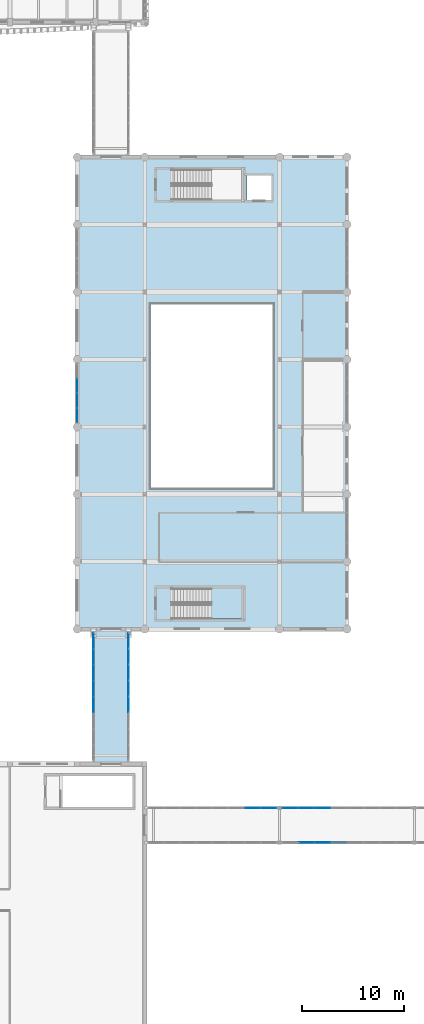
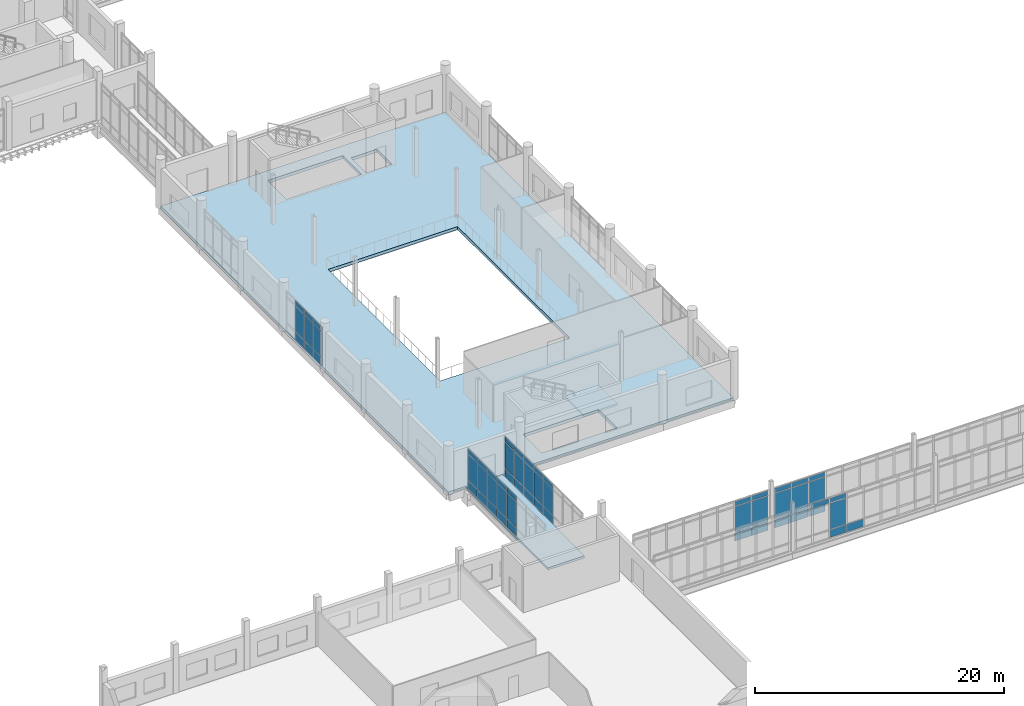
# One storey, part 47 of 101: 59 plates, 3 slabs, 7 elements without a shape of their own.
"""IFC4 building model written with IfcOpenShell, lengths in metres."""

from ifc_helpers import new_model, si_unit, direction, frame, origin, origin_2d, place, context, subcontext, project, spatial, polyline, rectangle, outline, extrude, material, layer, layer_set, type_object, element, aggregate, save


model = new_model("IFC4")

# Units and contexts
model_context = context("Model", 3, precision=1e-05, world=origin(), true_north=direction((0.0, 1.0)))
body_context = subcontext(model_context, "Body", "Model", "MODEL_VIEW")
ifc_project = project(units=[si_unit("LENGTHUNIT", "METRE"), si_unit("AREAUNIT", "SQUARE_METRE"), si_unit("VOLUMEUNIT", "CUBIC_METRE"), si_unit("PLANEANGLEUNIT", "RADIAN"), si_unit("MASSUNIT", "GRAM", prefix="KILO")], contexts=[model_context])

# Site, building, storey
site_placement = place(None, origin())
site = spatial("IfcSite", under=ifc_project, at=site_placement, CompositionType="ELEMENT")
building_placement = place(site_placement, origin())
building = spatial("IfcBuilding", under=site, at=building_placement, Name="Dornvale Research Institute", CompositionType="ELEMENT")
storey_placement = place(building_placement, frame((0.0, 0.0, 10.199951171875)))
storey = spatial("IfcBuildingStorey", under=building, at=storey_placement, Name="L02", CompositionType="ELEMENT", Elevation=10.199951171875)

# Curtain wall, plates
ifc_material_1 = material(Name="Low-E Argon Double Insulating Glazing Unit", Category="glass")
curtain_wall_type_1 = type_object("IfcCurtainWallType", Name="UnitisedCurtainWall_V2_5810x3950", PredefinedType="USERDEFINED", material=ifc_material_1)
curtain_wall_1_placement = place(storey_placement, origin())
curtain_wall_1 = element("IfcCurtainWall", 1, at=curtain_wall_1_placement, inside=storey, type_object=curtain_wall_type_1, Name="L02 V2 unitised curtain wall CW-02 #10", ObjectType="UNITISED CURTAIN WALL", PredefinedType="USERDEFINED")
ifc_material_2 = material(Name="Insulated Ceramic-Frit Spandrel Glass Panel", Category="glass")
ifc_layer_1 = layer(ifc_material_2, 0.0419921875)
ifc_layer_set_1 = layer_set([ifc_layer_1], Name="Insulated Ceramic-Frit Spandrel Glass Panel")
plate_type_1 = type_object("IfcPlateType", Name="CurtainPanel_Spandrel_42", PredefinedType="CURTAIN_PANEL", material=ifc_layer_set_1)
plate_1_placement = place(storey_placement, frame((39.60009765625, 60.53759765625, 0.065185546875), z_axis=(0.0, 0.0, 1.0), x_axis=(0.0, 1.0, 0.0)))
plate_1 = element("IfcPlate", 2, at=plate_1_placement, type_object=plate_type_1, Name="CW-02 panel 1.1", PredefinedType="CURTAIN_PANEL", context=body_context, shape_type="SweptSolid", body=[
    extrude(rectangle(XDim=1.35498046875, YDim=0.0419921875, at=origin_2d()), origin(), (0.0, 0.0, 1.0), 0.75244140625),
])
plate_2_placement = place(storey_placement, frame((39.60009765625, 61.9736328125, 0.065185546875), z_axis=(0.0, 0.0, 1.0), x_axis=(0.0, 1.0, 0.0)))
plate_2 = element("IfcPlate", 3, at=plate_2_placement, type_object=plate_type_1, Name="CW-02 panel 2.1", PredefinedType="CURTAIN_PANEL", context=body_context, shape_type="SweptSolid", body=[
    extrude(rectangle(XDim=1.387451171875, YDim=0.0419921875, at=origin_2d()), origin(), (0.0, 0.0, 1.0), 0.75244140625),
])
plate_3_placement = place(storey_placement, frame((39.60009765625, 63.42626953125, 0.065185546875), z_axis=(0.0, 0.0, 1.0), x_axis=(0.0, 1.0, 0.0)))
plate_3 = element("IfcPlate", 4, at=plate_3_placement, type_object=plate_type_1, Name="CW-02 panel 3.1", PredefinedType="CURTAIN_PANEL", context=body_context, shape_type="SweptSolid", body=[
    extrude(rectangle(XDim=1.387451171875, YDim=0.0419921875, at=origin_2d()), origin(), (0.0, 0.0, 1.0), 0.75244140625),
])

ifc_material_3 = material(Name="Low-E Argon Double Insulating Glazing Unit", Category="glass")
curtain_wall_type_2 = type_object("IfcCurtainWallType", Name="UnitisedCurtainWall_V2_12500x4000", PredefinedType="USERDEFINED", material=ifc_material_3)
curtain_wall_2_placement = place(storey_placement, origin())
curtain_wall_2 = element("IfcCurtainWall", 5, at=curtain_wall_2_placement, inside=storey, type_object=curtain_wall_type_2, Name="L02 V2 unitised curtain wall CW-39 #205", ObjectType="UNITISED CURTAIN WALL", PredefinedType="USERDEFINED")
plate_4_placement = place(storey_placement, frame((41.199951171875, 32.21875, 0.065185546875), z_axis=(0.0, 0.0, 1.0), x_axis=(0.0, 1.0, 0.0)))
plate_4 = element("IfcPlate", 6, at=plate_4_placement, type_object=plate_type_1, Name="CW-39 panel 4.1", PredefinedType="CURTAIN_PANEL", context=body_context, shape_type="SweptSolid", body=[
    extrude(rectangle(XDim=1.49755859375, YDim=0.0419921875, at=origin_2d()), origin(), (0.0, 0.0, 1.0), 0.75244140625),
])
plate_5_placement = place(storey_placement, frame((41.199951171875, 33.78125, 0.065185546875), z_axis=(0.0, 0.0, 1.0), x_axis=(0.0, 1.0, 0.0)))
plate_5 = element("IfcPlate", 7, at=plate_5_placement, type_object=plate_type_1, Name="CW-39 panel 5.1", PredefinedType="CURTAIN_PANEL", context=body_context, shape_type="SweptSolid", body=[
    extrude(rectangle(XDim=1.49755859375, YDim=0.0419921875, at=origin_2d()), origin(), (0.0, 0.0, 1.0), 0.75244140625),
])
plate_6_placement = place(storey_placement, frame((41.199951171875, 35.34375, 0.065185546875), z_axis=(0.0, 0.0, 1.0), x_axis=(0.0, 1.0, 0.0)))
plate_6 = element("IfcPlate", 8, at=plate_6_placement, type_object=plate_type_1, Name="CW-39 panel 6.1", PredefinedType="CURTAIN_PANEL", context=body_context, shape_type="SweptSolid", body=[
    extrude(rectangle(XDim=1.49755859375, YDim=0.0419921875, at=origin_2d()), origin(), (0.0, 0.0, 1.0), 0.75244140625),
])
plate_7_placement = place(storey_placement, frame((41.199951171875, 36.90625, 0.065185546875), z_axis=(0.0, 0.0, 1.0), x_axis=(0.0, 1.0, 0.0)))
plate_7 = element("IfcPlate", 9, at=plate_7_placement, type_object=plate_type_1, Name="CW-39 panel 7.1", PredefinedType="CURTAIN_PANEL", context=body_context, shape_type="SweptSolid", body=[
    extrude(rectangle(XDim=1.49755859375, YDim=0.0419921875, at=origin_2d()), origin(), (0.0, 0.0, 1.0), 0.75244140625),
])
plate_8_placement = place(storey_placement, frame((41.199951171875, 38.452392578125, 0.065185546875), z_axis=(0.0, 0.0, 1.0), x_axis=(0.0, 1.0, 0.0)))
plate_8 = element("IfcPlate", 10, at=plate_8_placement, type_object=plate_type_1, Name="CW-39 panel 8.1", PredefinedType="CURTAIN_PANEL", context=body_context, shape_type="SweptSolid", body=[
    extrude(rectangle(XDim=1.465087890625, YDim=0.0419921875, at=origin_2d()), origin(), (0.0, 0.0, 1.0), 0.75244140625),
])

curtain_wall_3_placement = place(storey_placement, origin())
curtain_wall_3 = element("IfcCurtainWall", 11, at=curtain_wall_3_placement, inside=storey, type_object=curtain_wall_type_2, Name="L02 V2 unitised curtain wall CW-39 #206", ObjectType="UNITISED CURTAIN WALL", PredefinedType="USERDEFINED")
plate_9_placement = place(storey_placement, frame((44.60009765625, 38.452392578125, 0.065185546875), z_axis=(0.0, 0.0, 1.0), x_axis=(0.0, -1.0, 0.0)))
plate_9 = element("IfcPlate", 12, at=plate_9_placement, type_object=plate_type_1, Name="CW-39 panel 1.1", PredefinedType="CURTAIN_PANEL", context=body_context, shape_type="SweptSolid", body=[
    extrude(rectangle(XDim=1.465087890625, YDim=0.0419921875, at=origin_2d()), origin(), (0.0, 0.0, 1.0), 0.75244140625),
])
plate_10_placement = place(storey_placement, frame((44.60009765625, 36.90625, 0.065185546875), z_axis=(0.0, 0.0, 1.0), x_axis=(0.0, -1.0, 0.0)))
plate_10 = element("IfcPlate", 13, at=plate_10_placement, type_object=plate_type_1, Name="CW-39 panel 2.1", PredefinedType="CURTAIN_PANEL", context=body_context, shape_type="SweptSolid", body=[
    extrude(rectangle(XDim=1.49755859375, YDim=0.0419921875, at=origin_2d()), origin(), (0.0, 0.0, 1.0), 0.75244140625),
])
plate_11_placement = place(storey_placement, frame((44.60009765625, 35.34375, 0.065185546875), z_axis=(0.0, 0.0, 1.0), x_axis=(0.0, -1.0, 0.0)))
plate_11 = element("IfcPlate", 14, at=plate_11_placement, type_object=plate_type_1, Name="CW-39 panel 3.1", PredefinedType="CURTAIN_PANEL", context=body_context, shape_type="SweptSolid", body=[
    extrude(rectangle(XDim=1.49755859375, YDim=0.0419921875, at=origin_2d()), origin(), (0.0, 0.0, 1.0), 0.75244140625),
])
plate_12_placement = place(storey_placement, frame((44.60009765625, 33.78125, 0.065185546875), z_axis=(0.0, 0.0, 1.0), x_axis=(0.0, -1.0, 0.0)))
plate_12 = element("IfcPlate", 15, at=plate_12_placement, type_object=plate_type_1, Name="CW-39 panel 4.1", PredefinedType="CURTAIN_PANEL", context=body_context, shape_type="SweptSolid", body=[
    extrude(rectangle(XDim=1.49755859375, YDim=0.0419921875, at=origin_2d()), origin(), (0.0, 0.0, 1.0), 0.75244140625),
])
plate_13_placement = place(storey_placement, frame((44.60009765625, 32.21875, 0.065185546875), z_axis=(0.0, 0.0, 1.0), x_axis=(0.0, -1.0, 0.0)))
plate_13 = element("IfcPlate", 16, at=plate_13_placement, type_object=plate_type_1, Name="CW-39 panel 5.1", PredefinedType="CURTAIN_PANEL", context=body_context, shape_type="SweptSolid", body=[
    extrude(rectangle(XDim=1.49755859375, YDim=0.0419921875, at=origin_2d()), origin(), (0.0, 0.0, 1.0), 0.75244140625),
])

ifc_material_4 = material(Name="Low-E Argon Double Insulating Glazing Unit", Category="glass")
curtain_wall_type_3 = type_object("IfcCurtainWallType", Name="UnitisedCurtainWall_V2_12600x4000", PredefinedType="USERDEFINED", material=ifc_material_4)
curtain_wall_4_placement = place(storey_placement, origin())
curtain_wall_4 = element("IfcCurtainWall", 17, at=curtain_wall_4_placement, inside=storey, type_object=curtain_wall_type_3, Name="L02 V2 unitised curtain wall CW-41 #223", ObjectType="UNITISED CURTAIN WALL", PredefinedType="USERDEFINED")
plate_14_placement = place(storey_placement, frame((56.78759765625, 22.10009765625, 0.065185546875), z_axis=(0.0, 0.0, 1.0), x_axis=(1.0, 0.0, 0.0)))
plate_14 = element("IfcPlate", 18, at=plate_14_placement, type_object=plate_type_1, Name="CW-41 panel 7.1", PredefinedType="CURTAIN_PANEL", context=body_context, shape_type="SweptSolid", body=[
    extrude(rectangle(XDim=1.510009765625, YDim=0.0419921875, at=origin_2d()), origin(), (0.0, 0.0, 1.0), 0.75244140625),
])
plate_15_placement = place(storey_placement, frame((58.34619140625, 22.10009765625, 0.065185546875), z_axis=(0.0, 0.0, 1.0), x_axis=(1.0, 0.0, 0.0)))
plate_15 = element("IfcPlate", 19, at=plate_15_placement, type_object=plate_type_1, Name="CW-41 panel 8.1", PredefinedType="CURTAIN_PANEL", context=body_context, shape_type="SweptSolid", body=[
    extrude(rectangle(XDim=1.4775390625, YDim=0.0419921875, at=origin_2d()), origin(), (0.0, 0.0, 1.0), 0.75244140625),
])

ifc_material_5 = material(Name="Low-E Argon Double Insulating Glazing Unit", Category="glass")
curtain_wall_type_4 = type_object("IfcCurtainWallType", Name="UnitisedCurtainWall_V2_12700x4000", PredefinedType="USERDEFINED", material=ifc_material_5)
curtain_wall_5_placement = place(storey_placement, origin())
curtain_wall_5 = element("IfcCurtainWall", 20, at=curtain_wall_5_placement, inside=storey, type_object=curtain_wall_type_4, Name="L02 V2 unitised curtain wall CW-42 #225", ObjectType="UNITISED CURTAIN WALL", PredefinedType="USERDEFINED")
plate_16_placement = place(storey_placement, frame((60.4599609375, 22.10009765625, 0.065185546875), z_axis=(0.0, 0.0, 1.0), x_axis=(1.0, 0.0, 0.0)))
plate_16 = element("IfcPlate", 21, at=plate_16_placement, type_object=plate_type_1, Name="CW-42 panel 1.1", PredefinedType="CURTAIN_PANEL", context=body_context, shape_type="SweptSolid", body=[
    extrude(rectangle(XDim=1.489990234375, YDim=0.0419921875, at=origin_2d()), origin(), (0.0, 0.0, 1.0), 0.75244140625),
])
plate_17_placement = place(storey_placement, frame((62.03125, 22.10009765625, 0.065185546875), z_axis=(0.0, 0.0, 1.0), x_axis=(1.0, 0.0, 0.0)))
plate_17 = element("IfcPlate", 22, at=plate_17_placement, type_object=plate_type_1, Name="CW-42 panel 2.1", PredefinedType="CURTAIN_PANEL", context=body_context, shape_type="SweptSolid", body=[
    extrude(rectangle(XDim=1.5224609375, YDim=0.0419921875, at=origin_2d()), origin(), (0.0, 0.0, 1.0), 0.75244140625),
])
plate_18_placement = place(storey_placement, frame((63.61865234375, 22.10009765625, 0.065185546875), z_axis=(0.0, 0.0, 1.0), x_axis=(1.0, 0.0, 0.0)))
plate_18 = element("IfcPlate", 23, at=plate_18_placement, type_object=plate_type_1, Name="CW-42 panel 3.1", PredefinedType="CURTAIN_PANEL", context=body_context, shape_type="SweptSolid", body=[
    extrude(rectangle(XDim=1.5224609375, YDim=0.0419921875, at=origin_2d()), origin(), (0.0, 0.0, 1.0), 0.75244140625),
])

curtain_wall_6_placement = place(storey_placement, origin())
curtain_wall_6 = element("IfcCurtainWall", 24, at=curtain_wall_6_placement, inside=storey, type_object=curtain_wall_type_4, Name="L02 V2 unitised curtain wall CW-42 #226", ObjectType="UNITISED CURTAIN WALL", PredefinedType="USERDEFINED")
plate_19_placement = place(storey_placement, frame((65.206298828125, 18.699951171875, 0.065185546875), z_axis=(0.0, 0.0, 1.0), x_axis=(-1.0, 0.0, 0.0)))
plate_19 = element("IfcPlate", 25, at=plate_19_placement, type_object=plate_type_1, Name="CW-42 panel 5.1", PredefinedType="CURTAIN_PANEL", context=body_context, shape_type="SweptSolid", body=[
    extrude(rectangle(XDim=1.5224609375, YDim=0.0419921875, at=origin_2d()), origin(), (0.0, 0.0, 1.0), 0.75244140625),
])
plate_20_placement = place(storey_placement, frame((63.61865234375, 18.699951171875, 0.065185546875), z_axis=(0.0, 0.0, 1.0), x_axis=(-1.0, 0.0, 0.0)))
plate_20 = element("IfcPlate", 26, at=plate_20_placement, type_object=plate_type_1, Name="CW-42 panel 6.1", PredefinedType="CURTAIN_PANEL", context=body_context, shape_type="SweptSolid", body=[
    extrude(rectangle(XDim=1.5224609375, YDim=0.0419921875, at=origin_2d()), origin(), (0.0, 0.0, 1.0), 0.75244140625),
])

# Plate
ifc_material_6 = material(Name="Low-E Argon Double Insulating Glazing Unit", Category="glass")
ifc_layer_2 = layer(ifc_material_6, 0.028076171875)
ifc_layer_set_2 = layer_set([ifc_layer_2], Name="Low-E Argon Double Insulating Glazing Unit")
plate_type_2 = type_object("IfcPlateType", Name="CurtainPanel_Vision_28", PredefinedType="CURTAIN_PANEL", material=ifc_layer_set_2)
plate_21_placement = place(storey_placement, frame((39.60009765625, 60.53759765625, 0.88232421875), z_axis=(0.0, 0.0, 1.0), x_axis=(0.0, 1.0, 0.0)))
plate_21 = element("IfcPlate", 27, at=plate_21_placement, type_object=plate_type_2, Name="CW-02 panel 1.2", PredefinedType="CURTAIN_PANEL", context=body_context, shape_type="SweptSolid", body=[
    extrude(rectangle(XDim=1.35498046875, YDim=0.028076171875, at=origin_2d()), origin(), (0.0, 0.0, 1.0), 2.485107421875),
])

plate_22_placement = place(storey_placement, frame((39.60009765625, 60.53759765625, 3.4326171875), z_axis=(0.0, 0.0, 1.0), x_axis=(0.0, 1.0, 0.0)))
plate_22 = element("IfcPlate", 28, at=plate_22_placement, type_object=plate_type_2, Name="CW-02 panel 1.3", PredefinedType="CURTAIN_PANEL", context=body_context, shape_type="SweptSolid", body=[
    extrude(rectangle(XDim=1.35498046875, YDim=0.028076171875, at=origin_2d()), origin(), (0.0, 0.0, 1.0), 0.452392578125),
])

plate_23_placement = place(storey_placement, frame((39.60009765625, 61.9736328125, 0.88232421875), z_axis=(0.0, 0.0, 1.0), x_axis=(0.0, 1.0, 0.0)))
plate_23 = element("IfcPlate", 29, at=plate_23_placement, type_object=plate_type_2, Name="CW-02 panel 2.2", PredefinedType="CURTAIN_PANEL", context=body_context, shape_type="SweptSolid", body=[
    extrude(rectangle(XDim=1.387451171875, YDim=0.028076171875, at=origin_2d()), origin(), (0.0, 0.0, 1.0), 2.485107421875),
])

plate_24_placement = place(storey_placement, frame((39.60009765625, 61.9736328125, 3.4326171875), z_axis=(0.0, 0.0, 1.0), x_axis=(0.0, 1.0, 0.0)))
plate_24 = element("IfcPlate", 30, at=plate_24_placement, type_object=plate_type_2, Name="CW-02 panel 2.3", PredefinedType="CURTAIN_PANEL", context=body_context, shape_type="SweptSolid", body=[
    extrude(rectangle(XDim=1.387451171875, YDim=0.028076171875, at=origin_2d()), origin(), (0.0, 0.0, 1.0), 0.452392578125),
])

plate_25_placement = place(storey_placement, frame((39.60009765625, 63.42626953125, 0.88232421875), z_axis=(0.0, 0.0, 1.0), x_axis=(0.0, 1.0, 0.0)))
plate_25 = element("IfcPlate", 31, at=plate_25_placement, type_object=plate_type_2, Name="CW-02 panel 3.2", PredefinedType="CURTAIN_PANEL", context=body_context, shape_type="SweptSolid", body=[
    extrude(rectangle(XDim=1.387451171875, YDim=0.028076171875, at=origin_2d()), origin(), (0.0, 0.0, 1.0), 2.485107421875),
])

plate_26_placement = place(storey_placement, frame((39.60009765625, 63.42626953125, 3.4326171875), z_axis=(0.0, 0.0, 1.0), x_axis=(0.0, 1.0, 0.0)))
plate_26 = element("IfcPlate", 32, at=plate_26_placement, type_object=plate_type_2, Name="CW-02 panel 3.3", PredefinedType="CURTAIN_PANEL", context=body_context, shape_type="SweptSolid", body=[
    extrude(rectangle(XDim=1.387451171875, YDim=0.028076171875, at=origin_2d()), origin(), (0.0, 0.0, 1.0), 0.452392578125),
])

aggregate(curtain_wall_1, [plate_1, plate_21, plate_22, plate_2, plate_23, plate_24, plate_3, plate_25, plate_26])

plate_27_placement = place(storey_placement, frame((41.199951171875, 32.21875, 0.8828125), z_axis=(0.0, 0.0, 1.0), x_axis=(0.0, 1.0, 0.0)))
plate_27 = element("IfcPlate", 33, at=plate_27_placement, type_object=plate_type_2, Name="CW-39 panel 4.2", PredefinedType="CURTAIN_PANEL", context=body_context, shape_type="SweptSolid", body=[
    extrude(rectangle(XDim=1.49755859375, YDim=0.028076171875, at=origin_2d()), origin(), (0.0, 0.0, 1.0), 2.534912109375),
])

plate_28_placement = place(storey_placement, frame((41.199951171875, 32.21875, 3.482421875), z_axis=(0.0, 0.0, 1.0), x_axis=(0.0, 1.0, 0.0)))
plate_28 = element("IfcPlate", 34, at=plate_28_placement, type_object=plate_type_2, Name="CW-39 panel 4.3", PredefinedType="CURTAIN_PANEL", context=body_context, shape_type="SweptSolid", body=[
    extrude(rectangle(XDim=1.49755859375, YDim=0.028076171875, at=origin_2d()), origin(), (0.0, 0.0, 1.0), 0.452392578125),
])

plate_29_placement = place(storey_placement, frame((41.199951171875, 33.78125, 0.8828125), z_axis=(0.0, 0.0, 1.0), x_axis=(0.0, 1.0, 0.0)))
plate_29 = element("IfcPlate", 35, at=plate_29_placement, type_object=plate_type_2, Name="CW-39 panel 5.2", PredefinedType="CURTAIN_PANEL", context=body_context, shape_type="SweptSolid", body=[
    extrude(rectangle(XDim=1.49755859375, YDim=0.028076171875, at=origin_2d()), origin(), (0.0, 0.0, 1.0), 2.534912109375),
])

plate_30_placement = place(storey_placement, frame((41.199951171875, 33.78125, 3.482421875), z_axis=(0.0, 0.0, 1.0), x_axis=(0.0, 1.0, 0.0)))
plate_30 = element("IfcPlate", 36, at=plate_30_placement, type_object=plate_type_2, Name="CW-39 panel 5.3", PredefinedType="CURTAIN_PANEL", context=body_context, shape_type="SweptSolid", body=[
    extrude(rectangle(XDim=1.49755859375, YDim=0.028076171875, at=origin_2d()), origin(), (0.0, 0.0, 1.0), 0.452392578125),
])

plate_31_placement = place(storey_placement, frame((41.199951171875, 35.34375, 0.8828125), z_axis=(0.0, 0.0, 1.0), x_axis=(0.0, 1.0, 0.0)))
plate_31 = element("IfcPlate", 37, at=plate_31_placement, type_object=plate_type_2, Name="CW-39 panel 6.2", PredefinedType="CURTAIN_PANEL", context=body_context, shape_type="SweptSolid", body=[
    extrude(rectangle(XDim=1.49755859375, YDim=0.028076171875, at=origin_2d()), origin(), (0.0, 0.0, 1.0), 2.534912109375),
])

plate_32_placement = place(storey_placement, frame((41.199951171875, 35.34375, 3.482421875), z_axis=(0.0, 0.0, 1.0), x_axis=(0.0, 1.0, 0.0)))
plate_32 = element("IfcPlate", 38, at=plate_32_placement, type_object=plate_type_2, Name="CW-39 panel 6.3", PredefinedType="CURTAIN_PANEL", context=body_context, shape_type="SweptSolid", body=[
    extrude(rectangle(XDim=1.49755859375, YDim=0.028076171875, at=origin_2d()), origin(), (0.0, 0.0, 1.0), 0.452392578125),
])

plate_33_placement = place(storey_placement, frame((41.199951171875, 36.90625, 0.8828125), z_axis=(0.0, 0.0, 1.0), x_axis=(0.0, 1.0, 0.0)))
plate_33 = element("IfcPlate", 39, at=plate_33_placement, type_object=plate_type_2, Name="CW-39 panel 7.2", PredefinedType="CURTAIN_PANEL", context=body_context, shape_type="SweptSolid", body=[
    extrude(rectangle(XDim=1.49755859375, YDim=0.028076171875, at=origin_2d()), origin(), (0.0, 0.0, 1.0), 2.534912109375),
])

plate_34_placement = place(storey_placement, frame((41.199951171875, 36.90625, 3.482421875), z_axis=(0.0, 0.0, 1.0), x_axis=(0.0, 1.0, 0.0)))
plate_34 = element("IfcPlate", 40, at=plate_34_placement, type_object=plate_type_2, Name="CW-39 panel 7.3", PredefinedType="CURTAIN_PANEL", context=body_context, shape_type="SweptSolid", body=[
    extrude(rectangle(XDim=1.49755859375, YDim=0.028076171875, at=origin_2d()), origin(), (0.0, 0.0, 1.0), 0.452392578125),
])

plate_35_placement = place(storey_placement, frame((41.199951171875, 38.452392578125, 0.8828125), z_axis=(0.0, 0.0, 1.0), x_axis=(0.0, 1.0, 0.0)))
plate_35 = element("IfcPlate", 41, at=plate_35_placement, type_object=plate_type_2, Name="CW-39 panel 8.2", PredefinedType="CURTAIN_PANEL", context=body_context, shape_type="SweptSolid", body=[
    extrude(rectangle(XDim=1.465087890625, YDim=0.028076171875, at=origin_2d()), origin(), (0.0, 0.0, 1.0), 2.534912109375),
])

plate_36_placement = place(storey_placement, frame((41.199951171875, 38.452392578125, 3.482421875), z_axis=(0.0, 0.0, 1.0), x_axis=(0.0, 1.0, 0.0)))
plate_36 = element("IfcPlate", 42, at=plate_36_placement, type_object=plate_type_2, Name="CW-39 panel 8.3", PredefinedType="CURTAIN_PANEL", context=body_context, shape_type="SweptSolid", body=[
    extrude(rectangle(XDim=1.465087890625, YDim=0.028076171875, at=origin_2d()), origin(), (0.0, 0.0, 1.0), 0.452392578125),
])

aggregate(curtain_wall_2, [plate_4, plate_27, plate_28, plate_5, plate_29, plate_30, plate_6, plate_31, plate_32, plate_7, plate_33, plate_34, plate_8, plate_35, plate_36])

plate_37_placement = place(storey_placement, frame((44.60009765625, 38.452392578125, 0.8828125), z_axis=(0.0, 0.0, 1.0), x_axis=(0.0, -1.0, 0.0)))
plate_37 = element("IfcPlate", 43, at=plate_37_placement, type_object=plate_type_2, Name="CW-39 panel 1.2", PredefinedType="CURTAIN_PANEL", context=body_context, shape_type="SweptSolid", body=[
    extrude(rectangle(XDim=1.465087890625, YDim=0.028076171875, at=origin_2d()), origin(), (0.0, 0.0, 1.0), 2.534912109375),
])

plate_38_placement = place(storey_placement, frame((44.60009765625, 38.452392578125, 3.482421875), z_axis=(0.0, 0.0, 1.0), x_axis=(0.0, -1.0, 0.0)))
plate_38 = element("IfcPlate", 44, at=plate_38_placement, type_object=plate_type_2, Name="CW-39 panel 1.3", PredefinedType="CURTAIN_PANEL", context=body_context, shape_type="SweptSolid", body=[
    extrude(rectangle(XDim=1.465087890625, YDim=0.028076171875, at=origin_2d()), origin(), (0.0, 0.0, 1.0), 0.452392578125),
])

plate_39_placement = place(storey_placement, frame((44.60009765625, 36.90625, 0.8828125), z_axis=(0.0, 0.0, 1.0), x_axis=(0.0, -1.0, 0.0)))
plate_39 = element("IfcPlate", 45, at=plate_39_placement, type_object=plate_type_2, Name="CW-39 panel 2.2", PredefinedType="CURTAIN_PANEL", context=body_context, shape_type="SweptSolid", body=[
    extrude(rectangle(XDim=1.49755859375, YDim=0.028076171875, at=origin_2d()), origin(), (0.0, 0.0, 1.0), 2.534912109375),
])

plate_40_placement = place(storey_placement, frame((44.60009765625, 36.90625, 3.482421875), z_axis=(0.0, 0.0, 1.0), x_axis=(0.0, -1.0, 0.0)))
plate_40 = element("IfcPlate", 46, at=plate_40_placement, type_object=plate_type_2, Name="CW-39 panel 2.3", PredefinedType="CURTAIN_PANEL", context=body_context, shape_type="SweptSolid", body=[
    extrude(rectangle(XDim=1.49755859375, YDim=0.028076171875, at=origin_2d()), origin(), (0.0, 0.0, 1.0), 0.452392578125),
])

plate_41_placement = place(storey_placement, frame((44.60009765625, 35.34375, 0.8828125), z_axis=(0.0, 0.0, 1.0), x_axis=(0.0, -1.0, 0.0)))
plate_41 = element("IfcPlate", 47, at=plate_41_placement, type_object=plate_type_2, Name="CW-39 panel 3.2", PredefinedType="CURTAIN_PANEL", context=body_context, shape_type="SweptSolid", body=[
    extrude(rectangle(XDim=1.49755859375, YDim=0.028076171875, at=origin_2d()), origin(), (0.0, 0.0, 1.0), 2.534912109375),
])

plate_42_placement = place(storey_placement, frame((44.60009765625, 35.34375, 3.482421875), z_axis=(0.0, 0.0, 1.0), x_axis=(0.0, -1.0, 0.0)))
plate_42 = element("IfcPlate", 48, at=plate_42_placement, type_object=plate_type_2, Name="CW-39 panel 3.3", PredefinedType="CURTAIN_PANEL", context=body_context, shape_type="SweptSolid", body=[
    extrude(rectangle(XDim=1.49755859375, YDim=0.028076171875, at=origin_2d()), origin(), (0.0, 0.0, 1.0), 0.452392578125),
])

plate_43_placement = place(storey_placement, frame((44.60009765625, 33.78125, 0.8828125), z_axis=(0.0, 0.0, 1.0), x_axis=(0.0, -1.0, 0.0)))
plate_43 = element("IfcPlate", 49, at=plate_43_placement, type_object=plate_type_2, Name="CW-39 panel 4.2", PredefinedType="CURTAIN_PANEL", context=body_context, shape_type="SweptSolid", body=[
    extrude(rectangle(XDim=1.49755859375, YDim=0.028076171875, at=origin_2d()), origin(), (0.0, 0.0, 1.0), 2.534912109375),
])

plate_44_placement = place(storey_placement, frame((44.60009765625, 33.78125, 3.482421875), z_axis=(0.0, 0.0, 1.0), x_axis=(0.0, -1.0, 0.0)))
plate_44 = element("IfcPlate", 50, at=plate_44_placement, type_object=plate_type_2, Name="CW-39 panel 4.3", PredefinedType="CURTAIN_PANEL", context=body_context, shape_type="SweptSolid", body=[
    extrude(rectangle(XDim=1.49755859375, YDim=0.028076171875, at=origin_2d()), origin(), (0.0, 0.0, 1.0), 0.452392578125),
])

plate_45_placement = place(storey_placement, frame((44.60009765625, 32.21875, 0.8828125), z_axis=(0.0, 0.0, 1.0), x_axis=(0.0, -1.0, 0.0)))
plate_45 = element("IfcPlate", 51, at=plate_45_placement, type_object=plate_type_2, Name="CW-39 panel 5.2", PredefinedType="CURTAIN_PANEL", context=body_context, shape_type="SweptSolid", body=[
    extrude(rectangle(XDim=1.49755859375, YDim=0.028076171875, at=origin_2d()), origin(), (0.0, 0.0, 1.0), 2.534912109375),
])

plate_46_placement = place(storey_placement, frame((44.60009765625, 32.21875, 3.482421875), z_axis=(0.0, 0.0, 1.0), x_axis=(0.0, -1.0, 0.0)))
plate_46 = element("IfcPlate", 52, at=plate_46_placement, type_object=plate_type_2, Name="CW-39 panel 5.3", PredefinedType="CURTAIN_PANEL", context=body_context, shape_type="SweptSolid", body=[
    extrude(rectangle(XDim=1.49755859375, YDim=0.028076171875, at=origin_2d()), origin(), (0.0, 0.0, 1.0), 0.452392578125),
])

aggregate(curtain_wall_3, [plate_9, plate_37, plate_38, plate_10, plate_39, plate_40, plate_11, plate_41, plate_42, plate_12, plate_43, plate_44, plate_13, plate_45, plate_46])

plate_47_placement = place(storey_placement, frame((56.78759765625, 22.10009765625, 0.8828125), z_axis=(0.0, 0.0, 1.0), x_axis=(1.0, 0.0, 0.0)))
plate_47 = element("IfcPlate", 53, at=plate_47_placement, type_object=plate_type_2, Name="CW-41 panel 7.2", PredefinedType="CURTAIN_PANEL", context=body_context, shape_type="SweptSolid", body=[
    extrude(rectangle(XDim=1.510009765625, YDim=0.028076171875, at=origin_2d()), origin(), (0.0, 0.0, 1.0), 2.534912109375),
])

plate_48_placement = place(storey_placement, frame((56.78759765625, 22.10009765625, 3.482421875), z_axis=(0.0, 0.0, 1.0), x_axis=(1.0, 0.0, 0.0)))
plate_48 = element("IfcPlate", 54, at=plate_48_placement, type_object=plate_type_2, Name="CW-41 panel 7.3", PredefinedType="CURTAIN_PANEL", context=body_context, shape_type="SweptSolid", body=[
    extrude(rectangle(XDim=1.510009765625, YDim=0.028076171875, at=origin_2d()), origin(), (0.0, 0.0, 1.0), 0.452392578125),
])

plate_49_placement = place(storey_placement, frame((58.34619140625, 22.10009765625, 0.8828125), z_axis=(0.0, 0.0, 1.0), x_axis=(1.0, 0.0, 0.0)))
plate_49 = element("IfcPlate", 55, at=plate_49_placement, type_object=plate_type_2, Name="CW-41 panel 8.2", PredefinedType="CURTAIN_PANEL", context=body_context, shape_type="SweptSolid", body=[
    extrude(rectangle(XDim=1.4775390625, YDim=0.028076171875, at=origin_2d()), origin(), (0.0, 0.0, 1.0), 2.534912109375),
])

plate_50_placement = place(storey_placement, frame((58.34619140625, 22.10009765625, 3.482421875), z_axis=(0.0, 0.0, 1.0), x_axis=(1.0, 0.0, 0.0)))
plate_50 = element("IfcPlate", 56, at=plate_50_placement, type_object=plate_type_2, Name="CW-41 panel 8.3", PredefinedType="CURTAIN_PANEL", context=body_context, shape_type="SweptSolid", body=[
    extrude(rectangle(XDim=1.4775390625, YDim=0.028076171875, at=origin_2d()), origin(), (0.0, 0.0, 1.0), 0.452392578125),
])

aggregate(curtain_wall_4, [plate_14, plate_47, plate_48, plate_15, plate_49, plate_50])

plate_51_placement = place(storey_placement, frame((60.4599609375, 22.10009765625, 0.8828125), z_axis=(0.0, 0.0, 1.0), x_axis=(1.0, 0.0, 0.0)))
plate_51 = element("IfcPlate", 57, at=plate_51_placement, type_object=plate_type_2, Name="CW-42 panel 1.2", PredefinedType="CURTAIN_PANEL", context=body_context, shape_type="SweptSolid", body=[
    extrude(rectangle(XDim=1.489990234375, YDim=0.028076171875, at=origin_2d()), origin(), (0.0, 0.0, 1.0), 2.534912109375),
])

plate_52_placement = place(storey_placement, frame((60.4599609375, 22.10009765625, 3.482421875), z_axis=(0.0, 0.0, 1.0), x_axis=(1.0, 0.0, 0.0)))
plate_52 = element("IfcPlate", 58, at=plate_52_placement, type_object=plate_type_2, Name="CW-42 panel 1.3", PredefinedType="CURTAIN_PANEL", context=body_context, shape_type="SweptSolid", body=[
    extrude(rectangle(XDim=1.489990234375, YDim=0.028076171875, at=origin_2d()), origin(), (0.0, 0.0, 1.0), 0.452392578125),
])

plate_53_placement = place(storey_placement, frame((62.03125, 22.10009765625, 0.8828125), z_axis=(0.0, 0.0, 1.0), x_axis=(1.0, 0.0, 0.0)))
plate_53 = element("IfcPlate", 59, at=plate_53_placement, type_object=plate_type_2, Name="CW-42 panel 2.2", PredefinedType="CURTAIN_PANEL", context=body_context, shape_type="SweptSolid", body=[
    extrude(rectangle(XDim=1.5224609375, YDim=0.028076171875, at=origin_2d()), origin(), (0.0, 0.0, 1.0), 2.534912109375),
])

plate_54_placement = place(storey_placement, frame((62.03125, 22.10009765625, 3.482421875), z_axis=(0.0, 0.0, 1.0), x_axis=(1.0, 0.0, 0.0)))
plate_54 = element("IfcPlate", 60, at=plate_54_placement, type_object=plate_type_2, Name="CW-42 panel 2.3", PredefinedType="CURTAIN_PANEL", context=body_context, shape_type="SweptSolid", body=[
    extrude(rectangle(XDim=1.5224609375, YDim=0.028076171875, at=origin_2d()), origin(), (0.0, 0.0, 1.0), 0.452392578125),
])

plate_55_placement = place(storey_placement, frame((63.61865234375, 22.10009765625, 0.8828125), z_axis=(0.0, 0.0, 1.0), x_axis=(1.0, 0.0, 0.0)))
plate_55 = element("IfcPlate", 61, at=plate_55_placement, type_object=plate_type_2, Name="CW-42 panel 3.2", PredefinedType="CURTAIN_PANEL", context=body_context, shape_type="SweptSolid", body=[
    extrude(rectangle(XDim=1.5224609375, YDim=0.028076171875, at=origin_2d()), origin(), (0.0, 0.0, 1.0), 2.534912109375),
])

plate_56_placement = place(storey_placement, frame((63.61865234375, 22.10009765625, 3.482421875), z_axis=(0.0, 0.0, 1.0), x_axis=(1.0, 0.0, 0.0)))
plate_56 = element("IfcPlate", 62, at=plate_56_placement, type_object=plate_type_2, Name="CW-42 panel 3.3", PredefinedType="CURTAIN_PANEL", context=body_context, shape_type="SweptSolid", body=[
    extrude(rectangle(XDim=1.5224609375, YDim=0.028076171875, at=origin_2d()), origin(), (0.0, 0.0, 1.0), 0.452392578125),
])

aggregate(curtain_wall_5, [plate_16, plate_51, plate_52, plate_17, plate_53, plate_54, plate_18, plate_55, plate_56])

plate_57_placement = place(storey_placement, frame((63.61865234375, 18.699951171875, 0.8828125), z_axis=(0.0, 0.0, 1.0), x_axis=(-1.0, 0.0, 0.0)))
plate_57 = element("IfcPlate", 63, at=plate_57_placement, type_object=plate_type_2, Name="CW-42 panel 6.2", PredefinedType="CURTAIN_PANEL", context=body_context, shape_type="SweptSolid", body=[
    extrude(rectangle(XDim=1.5224609375, YDim=0.028076171875, at=origin_2d()), origin(), (0.0, 0.0, 1.0), 2.534912109375),
])

plate_58_placement = place(storey_placement, frame((63.61865234375, 18.699951171875, 3.482421875), z_axis=(0.0, 0.0, 1.0), x_axis=(-1.0, 0.0, 0.0)))
plate_58 = element("IfcPlate", 64, at=plate_58_placement, type_object=plate_type_2, Name="CW-42 panel 6.3", PredefinedType="CURTAIN_PANEL", context=body_context, shape_type="SweptSolid", body=[
    extrude(rectangle(XDim=1.5224609375, YDim=0.028076171875, at=origin_2d()), origin(), (0.0, 0.0, 1.0), 0.452392578125),
])

plate_59_placement = place(storey_placement, frame((62.03125, 18.699951171875, 3.482421875), z_axis=(0.0, 0.0, 1.0), x_axis=(-1.0, 0.0, 0.0)))
plate_59 = element("IfcPlate", 65, at=plate_59_placement, type_object=plate_type_2, Name="CW-42 panel 7.3", PredefinedType="CURTAIN_PANEL", context=body_context, shape_type="SweptSolid", body=[
    extrude(rectangle(XDim=1.5224609375, YDim=0.028076171875, at=origin_2d()), origin(), (0.0, 0.0, 1.0), 0.452392578125),
])

aggregate(curtain_wall_6, [plate_19, plate_20, plate_57, plate_58, plate_59])

# Slabs
ifc_material_7 = material(Name="Concrete f'c 45 MPa (C35/45)", Category="concrete")
ifc_layer_3 = layer(ifc_material_7, 0.219970703125)
ifc_layer_set_3 = layer_set([ifc_layer_3], Name="Concrete f'c 45 MPa (C35/45)")
slab_type_1 = type_object("IfcSlabType", Name="FloorSlab_Bridge_220", PredefinedType="FLOOR", material=ifc_layer_set_3)
slab_1_placement = place(storey_placement, frame((0.0, 0.0, -0.219970703125)))
element("IfcSlab", 66, at=slab_1_placement, inside=storey, type_object=slab_type_1, Name="L02 link bridge deck BR-2", PredefinedType="FLOOR", context=body_context, shape_type="SweptSolid", body=[
    extrude(outline(polyline([(41.199951171875, 39.580078125), (44.60009765625, 39.580078125), (44.60009765625, 26.419921875), (41.199951171875, 26.419921875), (41.199951171875, 39.580078125)])), origin(), (0.0, 0.0, 1.0), 0.219970703125),
])
ifc_material_8 = material(Name="Concrete f'c 45 MPa (C35/45)", Category="concrete")
ifc_layer_4 = layer(ifc_material_8, 0.300048828125)
ifc_layer_set_4 = layer_set([ifc_layer_4], Name="Concrete f'c 45 MPa (C35/45)")
slab_type_2 = type_object("IfcSlabType", Name="FloorSlab_DryLab_300", PredefinedType="FLOOR", material=ifc_layer_set_4)
slab_2_placement = place(storey_placement, frame((0.0, 0.0, -0.300048828125)))
element("IfcSlab", 67, at=slab_2_placement, inside=storey, type_object=slab_type_2, Name="L02 V2 structural slab", PredefinedType="FLOOR", context=body_context, shape_type="SweptSolid", body=[
    extrude(outline(polyline([(39.60009765625, 39.60009765625), (66.0, 39.60009765625), (66.0, 85.800048828125), (39.60009765625, 85.800048828125), (39.60009765625, 39.60009765625)]), holes=[polyline([(48.820068359375, 40.60009765625), (55.800048828125, 40.60009765625), (55.800048828125, 43.60009765625), (48.820068359375, 43.60009765625), (48.820068359375, 40.60009765625)]), polyline([(48.820068359375, 81.60009765625), (55.800048828125, 81.60009765625), (55.800048828125, 84.60009765625), (48.820068359375, 84.60009765625), (48.820068359375, 81.60009765625)]), polyline([(56.199951171875, 81.60009765625), (58.60009765625, 81.60009765625), (58.60009765625, 84.0), (56.199951171875, 84.0), (56.199951171875, 81.60009765625)]), polyline([(46.800048828125, 53.39990234375), (58.800048828125, 53.39990234375), (58.800048828125, 71.39990234375), (46.800048828125, 71.39990234375), (46.800048828125, 53.39990234375)])]), origin(), (0.0, 0.0, 1.0), 0.300048828125),
])

# Stair, slab
ifc_material_9 = material(Name="Concrete f'c 45 MPa (C35/45)", Category="concrete")
stair_type = type_object("IfcStairType", Name="HalfTurnStair_RC_Secondary", PredefinedType="HALF_TURN_STAIR", material=ifc_material_9)
stair_placement = place(storey_placement, origin())
stair = element("IfcStair", 68, at=stair_placement, inside=storey, type_object=stair_type, Name="L02 Exit stair ST-7", PredefinedType="HALF_TURN_STAIR")
ifc_material_10 = material(Name="Concrete f'c 45 MPa (C35/45)", Category="concrete")
ifc_layer_5 = layer(ifc_material_10, 0.199951171875)
ifc_layer_set_5 = layer_set([ifc_layer_5], Name="Concrete f'c 45 MPa (C35/45)")
slab_type_3 = type_object("IfcSlabType", Name="Landing_Stair_200", PredefinedType="LANDING", material=ifc_layer_set_5)
slab_3_placement = place(storey_placement, frame((0.0, 0.0, 2.199951171875)))
slab_3 = element("IfcSlab", 69, at=slab_3_placement, type_object=slab_type_3, Name="ST-7 landing 1", PredefinedType="LANDING", context=body_context, shape_type="SweptSolid", body=[
    extrude(outline(polyline([(52.68994140625, 40.570068359375), (52.68994140625, 43.6298828125), (55.830078125, 43.6298828125), (55.830078125, 40.570068359375), (52.68994140625, 40.570068359375)])), origin(), (0.0, 0.0, 1.0), 0.2001953125),
])
aggregate(stair, [slab_3])

save(model, "model.ifc")
